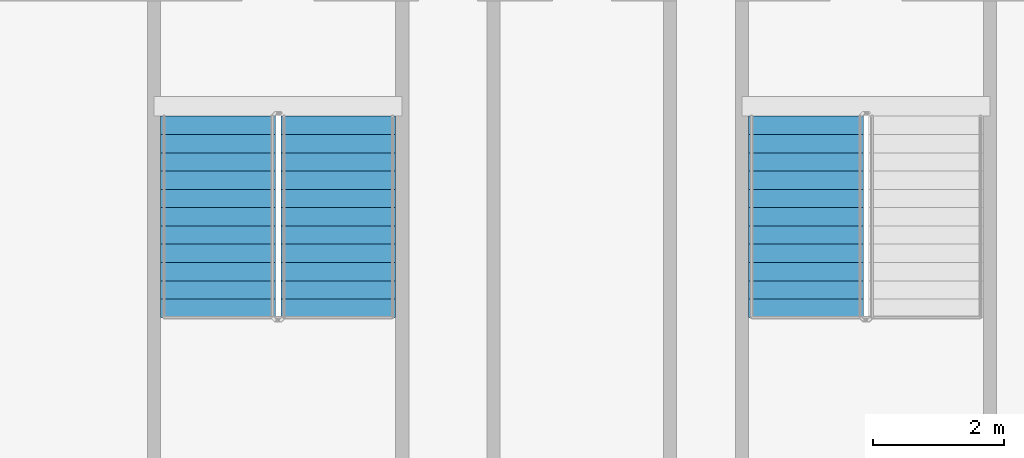
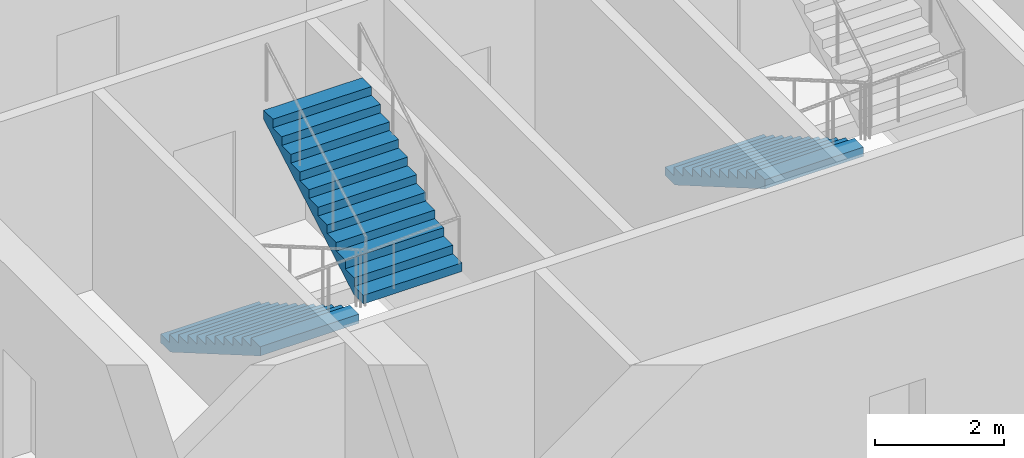
# One storey, part 14 of 21: 3 stair flights, 2 elements without a shape of their own.
"""IFC4 building model written with IfcOpenShell, lengths in metres."""

from ifc_helpers import new_model, si_unit, direction, frame, origin, place, context, subcontext, project, spatial, faceted_brep, material, type_object, element, aggregate, save


model = new_model("IFC4")

# Units and contexts
model_context = context("Model", 3, precision=1e-05, world=origin(), true_north=direction((0.0, 1.0)))
body_context = subcontext(model_context, "Body", "Model", "MODEL_VIEW")
ifc_project = project(units=[si_unit("LENGTHUNIT", "METRE"), si_unit("AREAUNIT", "SQUARE_METRE"), si_unit("VOLUMEUNIT", "CUBIC_METRE"), si_unit("PLANEANGLEUNIT", "RADIAN"), si_unit("MASSUNIT", "GRAM", prefix="KILO")], contexts=[model_context])

# Site, building, storey
site_placement = place(None, origin())
site = spatial("IfcSite", under=ifc_project, at=site_placement, CompositionType="ELEMENT")
building_placement = place(site_placement, origin())
building = spatial("IfcBuilding", under=site, at=building_placement, Name="Tarsis Ring Headquarters", CompositionType="ELEMENT")
storey_placement = place(building_placement, frame((0.0, 0.0, 278.60009765625)))
storey = spatial("IfcBuildingStorey", under=building, at=storey_placement, Name="L65", CompositionType="ELEMENT", Elevation=278.60009765625)

# Stair, stair flights
ifc_material_1 = material(Name="Core stair 1760")
stair_type = type_object("IfcStairType", Name="Core stair 1760", PredefinedType="HALF_TURN_STAIR", material=ifc_material_1)
stair_1_placement = place(storey_placement, origin())
stair_1 = element("IfcStair", 1, at=stair_1_placement, inside=storey, type_object=stair_type, Name="L65 Exit stair C", PredefinedType="HALF_TURN_STAIR")
ifc_material_2 = material(Name="Concrete C40/50", Category="concrete")
stair_flight_type = type_object("IfcStairFlightType", Name="Core stair flight 1760", PredefinedType="STRAIGHT", material=ifc_material_2)
stair_flight_1_placement = place(storey_placement, frame((-5.419921875, -3.659912109375, 0.0), z_axis=(0.0, 0.0, 1.0), x_axis=(0.0, -1.0, 0.0)))
stair_flight_1 = element("IfcStairFlight", 2, at=stair_flight_1_placement, type_object=stair_flight_type, Name="Stair ST3 flight 1", NumberOfRisers=12, NumberOfTreads=11, PredefinedType="STRAIGHT", RiserHeight=0.1625, TreadLength=0.28, context=body_context, shape_type="Brep", body=[
    faceted_brep([(0.0, 0.8798828125, 0.0), (0.0, 0.8798828125, 0.16259765625), (0.280029296875, 0.8798828125, 0.16259765625), (0.280029296875, 0.8798828125, 0.324951171875), (0.56005859375, 0.8798828125, 0.324951171875), (0.56005859375, 0.8798828125, 0.487548828125), (0.840087890625, 0.8798828125, 0.487548828125), (0.840087890625, 0.8798828125, 0.64990234375), (1.1201171875, 0.8798828125, 0.64990234375), (1.1201171875, 0.8798828125, 0.8125), (1.39990234375, 0.8798828125, 0.8125), (1.39990234375, 0.8798828125, 0.97509765625), (1.679931640625, 0.8798828125, 0.97509765625), (1.679931640625, 0.8798828125, 1.137451171875), (1.9599609375, 0.8798828125, 1.137451171875), (1.9599609375, 0.8798828125, 1.300048828125), (2.239990234375, 0.8798828125, 1.300048828125), (2.239990234375, 0.8798828125, 1.46240234375), (2.52001953125, 0.8798828125, 1.46240234375), (2.52001953125, 0.8798828125, 1.625), (2.800048828125, 0.8798828125, 1.625), (2.800048828125, 0.8798828125, 1.78759765625), (3.080078125, 0.8798828125, 1.78759765625), (3.080078125, 0.8798828125, 1.6142578125), (0.298583984375, 0.8798828125, 0.0), (0.298583984375, -0.8798828125, 0.0), (3.080078125, -0.8798828125, 1.6142578125), (3.080078125, -0.8798828125, 1.78759765625), (2.800048828125, -0.8798828125, 1.78759765625), (2.800048828125, -0.8798828125, 1.625), (2.52001953125, -0.8798828125, 1.625), (2.52001953125, -0.8798828125, 1.46240234375), (2.239990234375, -0.8798828125, 1.46240234375), (2.239990234375, -0.8798828125, 1.300048828125), (1.9599609375, -0.8798828125, 1.300048828125), (1.9599609375, -0.8798828125, 1.137451171875), (1.679931640625, -0.8798828125, 1.137451171875), (1.679931640625, -0.8798828125, 0.97509765625), (1.39990234375, -0.8798828125, 0.97509765625), (1.39990234375, -0.8798828125, 0.8125), (1.1201171875, -0.8798828125, 0.8125), (1.1201171875, -0.8798828125, 0.64990234375), (0.840087890625, -0.8798828125, 0.64990234375), (0.840087890625, -0.8798828125, 0.487548828125), (0.56005859375, -0.8798828125, 0.487548828125), (0.56005859375, -0.8798828125, 0.324951171875), (0.280029296875, -0.8798828125, 0.324951171875), (0.280029296875, -0.8798828125, 0.16259765625), (0.0, -0.8798828125, 0.16259765625), (0.0, -0.8798828125, 0.0), (0.0, -0.43994140625, 0.16259765625), (0.0, -0.43994140625, 0.0), (0.0, 0.0, 0.16259765625), (0.0, 0.0, 0.0), (0.0, 0.43994140625, 0.16259765625), (0.0, 0.43994140625, 0.0), (0.280029296875, -0.43994140625, 0.16259765625), (0.280029296875, 0.0, 0.16259765625), (0.280029296875, 0.43994140625, 0.16259765625), (0.280029296875, -0.43994140625, 0.324951171875), (0.280029296875, 0.0, 0.324951171875), (0.280029296875, 0.43994140625, 0.324951171875), (0.56005859375, -0.43994140625, 0.324951171875), (0.56005859375, 0.0, 0.324951171875), (0.56005859375, 0.43994140625, 0.324951171875), (0.56005859375, -0.43994140625, 0.487548828125), (0.56005859375, 0.0, 0.487548828125), (0.56005859375, 0.43994140625, 0.487548828125), (0.840087890625, -0.43994140625, 0.487548828125), (0.840087890625, 0.0, 0.487548828125), (0.840087890625, 0.43994140625, 0.487548828125), (0.840087890625, -0.43994140625, 0.64990234375), (0.840087890625, 0.0, 0.64990234375), (0.840087890625, 0.43994140625, 0.64990234375), (1.1201171875, -0.43994140625, 0.64990234375), (1.1201171875, 0.0, 0.64990234375), (1.1201171875, 0.43994140625, 0.64990234375), (1.1201171875, -0.43994140625, 0.8125), (1.1201171875, 0.0, 0.8125), (1.1201171875, 0.43994140625, 0.8125), (1.39990234375, -0.43994140625, 0.8125), (1.39990234375, 0.0, 0.8125), (1.39990234375, 0.43994140625, 0.8125), (1.39990234375, -0.43994140625, 0.97509765625), (1.39990234375, 0.0, 0.97509765625), (1.39990234375, 0.43994140625, 0.97509765625), (1.679931640625, -0.43994140625, 0.97509765625), (1.679931640625, 0.0, 0.97509765625), (1.679931640625, 0.43994140625, 0.97509765625), (1.679931640625, -0.43994140625, 1.137451171875), (1.679931640625, 0.0, 1.137451171875), (1.679931640625, 0.43994140625, 1.137451171875), (1.9599609375, -0.43994140625, 1.137451171875), (1.9599609375, 0.0, 1.137451171875), (1.9599609375, 0.43994140625, 1.137451171875), (1.9599609375, -0.43994140625, 1.300048828125), (1.9599609375, 0.0, 1.300048828125), (1.9599609375, 0.43994140625, 1.300048828125), (2.239990234375, -0.43994140625, 1.300048828125), (2.239990234375, 0.0, 1.300048828125), (2.239990234375, 0.43994140625, 1.300048828125), (2.239990234375, -0.43994140625, 1.46240234375), (2.239990234375, 0.0, 1.46240234375), (2.239990234375, 0.43994140625, 1.46240234375), (2.52001953125, -0.43994140625, 1.46240234375), (2.52001953125, 0.0, 1.46240234375), (2.52001953125, 0.43994140625, 1.46240234375), (2.52001953125, -0.43994140625, 1.625), (2.52001953125, 0.0, 1.625), (2.52001953125, 0.43994140625, 1.625), (2.800048828125, -0.43994140625, 1.625), (2.800048828125, 0.0, 1.625), (2.800048828125, 0.43994140625, 1.625), (2.800048828125, -0.43994140625, 1.78759765625), (2.800048828125, 0.0, 1.78759765625), (2.800048828125, 0.43994140625, 1.78759765625), (3.080078125, -0.43994140625, 1.78759765625), (3.080078125, 0.0, 1.78759765625), (3.080078125, 0.43994140625, 1.78759765625), (3.080078125, -0.43994140625, 1.6142578125), (3.080078125, 0.0, 1.6142578125), (3.080078125, 0.43994140625, 1.6142578125), (0.298583984375, -0.43994140625, 0.0), (0.298583984375, 0.0, 0.0), (0.298583984375, 0.43994140625, 0.0)], [[[0, 1, 2, 3, 4, 5, 6, 7, 8, 9, 10, 11, 12, 13, 14, 15, 16, 17, 18, 19, 20, 21, 22, 23, 24]], [[25, 26, 27, 28, 29, 30, 31, 32, 33, 34, 35, 36, 37, 38, 39, 40, 41, 42, 43, 44, 45, 46, 47, 48, 49]], [[49, 48, 50, 51]], [[51, 50, 52, 53]], [[53, 52, 54, 55]], [[55, 54, 1, 0]], [[48, 47, 56, 50]], [[50, 56, 57, 52]], [[52, 57, 58, 54]], [[54, 58, 2, 1]], [[47, 46, 59, 56]], [[56, 59, 60, 57]], [[57, 60, 61, 58]], [[58, 61, 3, 2]], [[46, 45, 62, 59]], [[59, 62, 63, 60]], [[60, 63, 64, 61]], [[61, 64, 4, 3]], [[45, 44, 65, 62]], [[62, 65, 66, 63]], [[63, 66, 67, 64]], [[64, 67, 5, 4]], [[44, 43, 68, 65]], [[65, 68, 69, 66]], [[66, 69, 70, 67]], [[67, 70, 6, 5]], [[43, 42, 71, 68]], [[68, 71, 72, 69]], [[69, 72, 73, 70]], [[70, 73, 7, 6]], [[42, 41, 74, 71]], [[71, 74, 75, 72]], [[72, 75, 76, 73]], [[73, 76, 8, 7]], [[41, 40, 77, 74]], [[74, 77, 78, 75]], [[75, 78, 79, 76]], [[76, 79, 9, 8]], [[40, 39, 80, 77]], [[77, 80, 81, 78]], [[78, 81, 82, 79]], [[79, 82, 10, 9]], [[39, 38, 83, 80]], [[80, 83, 84, 81]], [[81, 84, 85, 82]], [[82, 85, 11, 10]], [[38, 37, 86, 83]], [[83, 86, 87, 84]], [[84, 87, 88, 85]], [[85, 88, 12, 11]], [[37, 36, 89, 86]], [[86, 89, 90, 87]], [[87, 90, 91, 88]], [[88, 91, 13, 12]], [[36, 35, 92, 89]], [[89, 92, 93, 90]], [[90, 93, 94, 91]], [[91, 94, 14, 13]], [[35, 34, 95, 92]], [[92, 95, 96, 93]], [[93, 96, 97, 94]], [[94, 97, 15, 14]], [[34, 33, 98, 95]], [[95, 98, 99, 96]], [[96, 99, 100, 97]], [[97, 100, 16, 15]], [[33, 32, 101, 98]], [[98, 101, 102, 99]], [[99, 102, 103, 100]], [[100, 103, 17, 16]], [[32, 31, 104, 101]], [[101, 104, 105, 102]], [[102, 105, 106, 103]], [[103, 106, 18, 17]], [[31, 30, 107, 104]], [[104, 107, 108, 105]], [[105, 108, 109, 106]], [[106, 109, 19, 18]], [[30, 29, 110, 107]], [[107, 110, 111, 108]], [[108, 111, 112, 109]], [[109, 112, 20, 19]], [[29, 28, 113, 110]], [[110, 113, 114, 111]], [[111, 114, 115, 112]], [[112, 115, 21, 20]], [[28, 27, 116, 113]], [[113, 116, 117, 114]], [[114, 117, 118, 115]], [[115, 118, 22, 21]], [[27, 26, 119, 116]], [[116, 119, 120, 117]], [[117, 120, 121, 118]], [[118, 121, 23, 22]], [[26, 25, 122, 119]], [[119, 122, 123, 120]], [[120, 123, 124, 121]], [[121, 124, 24, 23]], [[25, 49, 51, 122]], [[122, 51, 53, 123]], [[123, 53, 55, 124]], [[124, 55, 0, 24]]]),
])
stair_flight_2_placement = place(storey_placement, frame((-3.580078125, -6.739990234375, 1.949951171875), z_axis=(0.0, 0.0, 1.0), x_axis=(0.0, 1.0, 0.0)))
stair_flight_2 = element("IfcStairFlight", 3, at=stair_flight_2_placement, type_object=stair_flight_type, Name="Stair ST3 flight 2", NumberOfRisers=12, NumberOfTreads=11, PredefinedType="STRAIGHT", RiserHeight=0.1625, TreadLength=0.28, context=body_context, shape_type="Brep", body=[
    faceted_brep([(0.0, 0.8798828125, 0.0), (0.0, 0.8798828125, 0.16259765625), (0.280029296875, 0.8798828125, 0.16259765625), (0.280029296875, 0.8798828125, 0.324951171875), (0.56005859375, 0.8798828125, 0.324951171875), (0.56005859375, 0.8798828125, 0.487548828125), (0.840087890625, 0.8798828125, 0.487548828125), (0.840087890625, 0.8798828125, 0.64990234375), (1.1201171875, 0.8798828125, 0.64990234375), (1.1201171875, 0.8798828125, 0.8125), (1.39990234375, 0.8798828125, 0.8125), (1.39990234375, 0.8798828125, 0.97509765625), (1.679931640625, 0.8798828125, 0.97509765625), (1.679931640625, 0.8798828125, 1.137451171875), (1.9599609375, 0.8798828125, 1.137451171875), (1.9599609375, 0.8798828125, 1.300048828125), (2.239990234375, 0.8798828125, 1.300048828125), (2.239990234375, 0.8798828125, 1.46240234375), (2.52001953125, 0.8798828125, 1.46240234375), (2.52001953125, 0.8798828125, 1.625), (2.800048828125, 0.8798828125, 1.625), (2.800048828125, 0.8798828125, 1.78759765625), (3.080078125, 0.8798828125, 1.78759765625), (3.080078125, 0.8798828125, 1.6142578125), (0.298583984375, 0.8798828125, 0.0), (0.298583984375, -0.8798828125, 0.0), (3.080078125, -0.8798828125, 1.6142578125), (3.080078125, -0.8798828125, 1.78759765625), (2.800048828125, -0.8798828125, 1.78759765625), (2.800048828125, -0.8798828125, 1.625), (2.52001953125, -0.8798828125, 1.625), (2.52001953125, -0.8798828125, 1.46240234375), (2.239990234375, -0.8798828125, 1.46240234375), (2.239990234375, -0.8798828125, 1.300048828125), (1.9599609375, -0.8798828125, 1.300048828125), (1.9599609375, -0.8798828125, 1.137451171875), (1.679931640625, -0.8798828125, 1.137451171875), (1.679931640625, -0.8798828125, 0.97509765625), (1.39990234375, -0.8798828125, 0.97509765625), (1.39990234375, -0.8798828125, 0.8125), (1.1201171875, -0.8798828125, 0.8125), (1.1201171875, -0.8798828125, 0.64990234375), (0.840087890625, -0.8798828125, 0.64990234375), (0.840087890625, -0.8798828125, 0.487548828125), (0.56005859375, -0.8798828125, 0.487548828125), (0.56005859375, -0.8798828125, 0.324951171875), (0.280029296875, -0.8798828125, 0.324951171875), (0.280029296875, -0.8798828125, 0.16259765625), (0.0, -0.8798828125, 0.16259765625), (0.0, -0.8798828125, 0.0), (0.0, -0.43994140625, 0.16259765625), (0.0, -0.43994140625, 0.0), (0.0, 0.0, 0.16259765625), (0.0, 0.0, 0.0), (0.0, 0.43994140625, 0.16259765625), (0.0, 0.43994140625, 0.0), (0.280029296875, -0.43994140625, 0.16259765625), (0.280029296875, 0.0, 0.16259765625), (0.280029296875, 0.43994140625, 0.16259765625), (0.280029296875, -0.43994140625, 0.324951171875), (0.280029296875, 0.0, 0.324951171875), (0.280029296875, 0.43994140625, 0.324951171875), (0.56005859375, -0.43994140625, 0.324951171875), (0.56005859375, 0.0, 0.324951171875), (0.56005859375, 0.43994140625, 0.324951171875), (0.56005859375, -0.43994140625, 0.487548828125), (0.56005859375, 0.0, 0.487548828125), (0.56005859375, 0.43994140625, 0.487548828125), (0.840087890625, -0.43994140625, 0.487548828125), (0.840087890625, 0.0, 0.487548828125), (0.840087890625, 0.43994140625, 0.487548828125), (0.840087890625, -0.43994140625, 0.64990234375), (0.840087890625, 0.0, 0.64990234375), (0.840087890625, 0.43994140625, 0.64990234375), (1.1201171875, -0.43994140625, 0.64990234375), (1.1201171875, 0.0, 0.64990234375), (1.1201171875, 0.43994140625, 0.64990234375), (1.1201171875, -0.43994140625, 0.8125), (1.1201171875, 0.0, 0.8125), (1.1201171875, 0.43994140625, 0.8125), (1.39990234375, -0.43994140625, 0.8125), (1.39990234375, 0.0, 0.8125), (1.39990234375, 0.43994140625, 0.8125), (1.39990234375, -0.43994140625, 0.97509765625), (1.39990234375, 0.0, 0.97509765625), (1.39990234375, 0.43994140625, 0.97509765625), (1.679931640625, -0.43994140625, 0.97509765625), (1.679931640625, 0.0, 0.97509765625), (1.679931640625, 0.43994140625, 0.97509765625), (1.679931640625, -0.43994140625, 1.137451171875), (1.679931640625, 0.0, 1.137451171875), (1.679931640625, 0.43994140625, 1.137451171875), (1.9599609375, -0.43994140625, 1.137451171875), (1.9599609375, 0.0, 1.137451171875), (1.9599609375, 0.43994140625, 1.137451171875), (1.9599609375, -0.43994140625, 1.300048828125), (1.9599609375, 0.0, 1.300048828125), (1.9599609375, 0.43994140625, 1.300048828125), (2.239990234375, -0.43994140625, 1.300048828125), (2.239990234375, 0.0, 1.300048828125), (2.239990234375, 0.43994140625, 1.300048828125), (2.239990234375, -0.43994140625, 1.46240234375), (2.239990234375, 0.0, 1.46240234375), (2.239990234375, 0.43994140625, 1.46240234375), (2.52001953125, -0.43994140625, 1.46240234375), (2.52001953125, 0.0, 1.46240234375), (2.52001953125, 0.43994140625, 1.46240234375), (2.52001953125, -0.43994140625, 1.625), (2.52001953125, 0.0, 1.625), (2.52001953125, 0.43994140625, 1.625), (2.800048828125, -0.43994140625, 1.625), (2.800048828125, 0.0, 1.625), (2.800048828125, 0.43994140625, 1.625), (2.800048828125, -0.43994140625, 1.78759765625), (2.800048828125, 0.0, 1.78759765625), (2.800048828125, 0.43994140625, 1.78759765625), (3.080078125, -0.43994140625, 1.78759765625), (3.080078125, 0.0, 1.78759765625), (3.080078125, 0.43994140625, 1.78759765625), (3.080078125, -0.43994140625, 1.6142578125), (3.080078125, 0.0, 1.6142578125), (3.080078125, 0.43994140625, 1.6142578125), (0.298583984375, -0.43994140625, 0.0), (0.298583984375, 0.0, 0.0), (0.298583984375, 0.43994140625, 0.0)], [[[0, 1, 2, 3, 4, 5, 6, 7, 8, 9, 10, 11, 12, 13, 14, 15, 16, 17, 18, 19, 20, 21, 22, 23, 24]], [[25, 26, 27, 28, 29, 30, 31, 32, 33, 34, 35, 36, 37, 38, 39, 40, 41, 42, 43, 44, 45, 46, 47, 48, 49]], [[49, 48, 50, 51]], [[51, 50, 52, 53]], [[53, 52, 54, 55]], [[55, 54, 1, 0]], [[48, 47, 56, 50]], [[50, 56, 57, 52]], [[52, 57, 58, 54]], [[54, 58, 2, 1]], [[47, 46, 59, 56]], [[56, 59, 60, 57]], [[57, 60, 61, 58]], [[58, 61, 3, 2]], [[46, 45, 62, 59]], [[59, 62, 63, 60]], [[60, 63, 64, 61]], [[61, 64, 4, 3]], [[45, 44, 65, 62]], [[62, 65, 66, 63]], [[63, 66, 67, 64]], [[64, 67, 5, 4]], [[44, 43, 68, 65]], [[65, 68, 69, 66]], [[66, 69, 70, 67]], [[67, 70, 6, 5]], [[43, 42, 71, 68]], [[68, 71, 72, 69]], [[69, 72, 73, 70]], [[70, 73, 7, 6]], [[42, 41, 74, 71]], [[71, 74, 75, 72]], [[72, 75, 76, 73]], [[73, 76, 8, 7]], [[41, 40, 77, 74]], [[74, 77, 78, 75]], [[75, 78, 79, 76]], [[76, 79, 9, 8]], [[40, 39, 80, 77]], [[77, 80, 81, 78]], [[78, 81, 82, 79]], [[79, 82, 10, 9]], [[39, 38, 83, 80]], [[80, 83, 84, 81]], [[81, 84, 85, 82]], [[82, 85, 11, 10]], [[38, 37, 86, 83]], [[83, 86, 87, 84]], [[84, 87, 88, 85]], [[85, 88, 12, 11]], [[37, 36, 89, 86]], [[86, 89, 90, 87]], [[87, 90, 91, 88]], [[88, 91, 13, 12]], [[36, 35, 92, 89]], [[89, 92, 93, 90]], [[90, 93, 94, 91]], [[91, 94, 14, 13]], [[35, 34, 95, 92]], [[92, 95, 96, 93]], [[93, 96, 97, 94]], [[94, 97, 15, 14]], [[34, 33, 98, 95]], [[95, 98, 99, 96]], [[96, 99, 100, 97]], [[97, 100, 16, 15]], [[33, 32, 101, 98]], [[98, 101, 102, 99]], [[99, 102, 103, 100]], [[100, 103, 17, 16]], [[32, 31, 104, 101]], [[101, 104, 105, 102]], [[102, 105, 106, 103]], [[103, 106, 18, 17]], [[31, 30, 107, 104]], [[104, 107, 108, 105]], [[105, 108, 109, 106]], [[106, 109, 19, 18]], [[30, 29, 110, 107]], [[107, 110, 111, 108]], [[108, 111, 112, 109]], [[109, 112, 20, 19]], [[29, 28, 113, 110]], [[110, 113, 114, 111]], [[111, 114, 115, 112]], [[112, 115, 21, 20]], [[28, 27, 116, 113]], [[113, 116, 117, 114]], [[114, 117, 118, 115]], [[115, 118, 22, 21]], [[27, 26, 119, 116]], [[116, 119, 120, 117]], [[117, 120, 121, 118]], [[118, 121, 23, 22]], [[26, 25, 122, 119]], [[119, 122, 123, 120]], [[120, 123, 124, 121]], [[121, 124, 24, 23]], [[25, 49, 51, 122]], [[122, 51, 53, 123]], [[123, 53, 55, 124]], [[124, 55, 0, 24]]]),
])
aggregate(stair_1, [stair_flight_1, stair_flight_2])

# Stair, stair flight
stair_2_placement = place(storey_placement, origin())
stair_2 = element("IfcStair", 4, at=stair_2_placement, inside=storey, type_object=stair_type, Name="L65 Exit stair D", PredefinedType="HALF_TURN_STAIR")
stair_flight_3_placement = place(storey_placement, frame((3.580078125, -3.659912109375, 0.0), z_axis=(0.0, 0.0, 1.0), x_axis=(0.0, -1.0, 0.0)))
stair_flight_3 = element("IfcStairFlight", 5, at=stair_flight_3_placement, type_object=stair_flight_type, Name="Stair ST4 flight 1", NumberOfRisers=12, NumberOfTreads=11, PredefinedType="STRAIGHT", RiserHeight=0.1625, TreadLength=0.28, context=body_context, shape_type="Brep", body=[
    faceted_brep([(0.0, 0.8798828125, 0.0), (0.0, 0.8798828125, 0.16259765625), (0.280029296875, 0.8798828125, 0.16259765625), (0.280029296875, 0.8798828125, 0.324951171875), (0.56005859375, 0.8798828125, 0.324951171875), (0.56005859375, 0.8798828125, 0.487548828125), (0.840087890625, 0.8798828125, 0.487548828125), (0.840087890625, 0.8798828125, 0.64990234375), (1.1201171875, 0.8798828125, 0.64990234375), (1.1201171875, 0.8798828125, 0.8125), (1.39990234375, 0.8798828125, 0.8125), (1.39990234375, 0.8798828125, 0.97509765625), (1.679931640625, 0.8798828125, 0.97509765625), (1.679931640625, 0.8798828125, 1.137451171875), (1.9599609375, 0.8798828125, 1.137451171875), (1.9599609375, 0.8798828125, 1.300048828125), (2.239990234375, 0.8798828125, 1.300048828125), (2.239990234375, 0.8798828125, 1.46240234375), (2.52001953125, 0.8798828125, 1.46240234375), (2.52001953125, 0.8798828125, 1.625), (2.800048828125, 0.8798828125, 1.625), (2.800048828125, 0.8798828125, 1.78759765625), (3.080078125, 0.8798828125, 1.78759765625), (3.080078125, 0.8798828125, 1.6142578125), (0.298583984375, 0.8798828125, 0.0), (0.298583984375, -0.8798828125, 0.0), (3.080078125, -0.8798828125, 1.6142578125), (3.080078125, -0.8798828125, 1.78759765625), (2.800048828125, -0.8798828125, 1.78759765625), (2.800048828125, -0.8798828125, 1.625), (2.52001953125, -0.8798828125, 1.625), (2.52001953125, -0.8798828125, 1.46240234375), (2.239990234375, -0.8798828125, 1.46240234375), (2.239990234375, -0.8798828125, 1.300048828125), (1.9599609375, -0.8798828125, 1.300048828125), (1.9599609375, -0.8798828125, 1.137451171875), (1.679931640625, -0.8798828125, 1.137451171875), (1.679931640625, -0.8798828125, 0.97509765625), (1.39990234375, -0.8798828125, 0.97509765625), (1.39990234375, -0.8798828125, 0.8125), (1.1201171875, -0.8798828125, 0.8125), (1.1201171875, -0.8798828125, 0.64990234375), (0.840087890625, -0.8798828125, 0.64990234375), (0.840087890625, -0.8798828125, 0.487548828125), (0.56005859375, -0.8798828125, 0.487548828125), (0.56005859375, -0.8798828125, 0.324951171875), (0.280029296875, -0.8798828125, 0.324951171875), (0.280029296875, -0.8798828125, 0.16259765625), (0.0, -0.8798828125, 0.16259765625), (0.0, -0.8798828125, 0.0), (0.0, -0.43994140625, 0.16259765625), (0.0, -0.43994140625, 0.0), (0.0, 0.0, 0.16259765625), (0.0, 0.0, 0.0), (0.0, 0.43994140625, 0.16259765625), (0.0, 0.43994140625, 0.0), (0.280029296875, -0.43994140625, 0.16259765625), (0.280029296875, 0.0, 0.16259765625), (0.280029296875, 0.43994140625, 0.16259765625), (0.280029296875, -0.43994140625, 0.324951171875), (0.280029296875, 0.0, 0.324951171875), (0.280029296875, 0.43994140625, 0.324951171875), (0.56005859375, -0.43994140625, 0.324951171875), (0.56005859375, 0.0, 0.324951171875), (0.56005859375, 0.43994140625, 0.324951171875), (0.56005859375, -0.43994140625, 0.487548828125), (0.56005859375, 0.0, 0.487548828125), (0.56005859375, 0.43994140625, 0.487548828125), (0.840087890625, -0.43994140625, 0.487548828125), (0.840087890625, 0.0, 0.487548828125), (0.840087890625, 0.43994140625, 0.487548828125), (0.840087890625, -0.43994140625, 0.64990234375), (0.840087890625, 0.0, 0.64990234375), (0.840087890625, 0.43994140625, 0.64990234375), (1.1201171875, -0.43994140625, 0.64990234375), (1.1201171875, 0.0, 0.64990234375), (1.1201171875, 0.43994140625, 0.64990234375), (1.1201171875, -0.43994140625, 0.8125), (1.1201171875, 0.0, 0.8125), (1.1201171875, 0.43994140625, 0.8125), (1.39990234375, -0.43994140625, 0.8125), (1.39990234375, 0.0, 0.8125), (1.39990234375, 0.43994140625, 0.8125), (1.39990234375, -0.43994140625, 0.97509765625), (1.39990234375, 0.0, 0.97509765625), (1.39990234375, 0.43994140625, 0.97509765625), (1.679931640625, -0.43994140625, 0.97509765625), (1.679931640625, 0.0, 0.97509765625), (1.679931640625, 0.43994140625, 0.97509765625), (1.679931640625, -0.43994140625, 1.137451171875), (1.679931640625, 0.0, 1.137451171875), (1.679931640625, 0.43994140625, 1.137451171875), (1.9599609375, -0.43994140625, 1.137451171875), (1.9599609375, 0.0, 1.137451171875), (1.9599609375, 0.43994140625, 1.137451171875), (1.9599609375, -0.43994140625, 1.300048828125), (1.9599609375, 0.0, 1.300048828125), (1.9599609375, 0.43994140625, 1.300048828125), (2.239990234375, -0.43994140625, 1.300048828125), (2.239990234375, 0.0, 1.300048828125), (2.239990234375, 0.43994140625, 1.300048828125), (2.239990234375, -0.43994140625, 1.46240234375), (2.239990234375, 0.0, 1.46240234375), (2.239990234375, 0.43994140625, 1.46240234375), (2.52001953125, -0.43994140625, 1.46240234375), (2.52001953125, 0.0, 1.46240234375), (2.52001953125, 0.43994140625, 1.46240234375), (2.52001953125, -0.43994140625, 1.625), (2.52001953125, 0.0, 1.625), (2.52001953125, 0.43994140625, 1.625), (2.800048828125, -0.43994140625, 1.625), (2.800048828125, 0.0, 1.625), (2.800048828125, 0.43994140625, 1.625), (2.800048828125, -0.43994140625, 1.78759765625), (2.800048828125, 0.0, 1.78759765625), (2.800048828125, 0.43994140625, 1.78759765625), (3.080078125, -0.43994140625, 1.78759765625), (3.080078125, 0.0, 1.78759765625), (3.080078125, 0.43994140625, 1.78759765625), (3.080078125, -0.43994140625, 1.6142578125), (3.080078125, 0.0, 1.6142578125), (3.080078125, 0.43994140625, 1.6142578125), (0.298583984375, -0.43994140625, 0.0), (0.298583984375, 0.0, 0.0), (0.298583984375, 0.43994140625, 0.0)], [[[0, 1, 2, 3, 4, 5, 6, 7, 8, 9, 10, 11, 12, 13, 14, 15, 16, 17, 18, 19, 20, 21, 22, 23, 24]], [[25, 26, 27, 28, 29, 30, 31, 32, 33, 34, 35, 36, 37, 38, 39, 40, 41, 42, 43, 44, 45, 46, 47, 48, 49]], [[49, 48, 50, 51]], [[51, 50, 52, 53]], [[53, 52, 54, 55]], [[55, 54, 1, 0]], [[48, 47, 56, 50]], [[50, 56, 57, 52]], [[52, 57, 58, 54]], [[54, 58, 2, 1]], [[47, 46, 59, 56]], [[56, 59, 60, 57]], [[57, 60, 61, 58]], [[58, 61, 3, 2]], [[46, 45, 62, 59]], [[59, 62, 63, 60]], [[60, 63, 64, 61]], [[61, 64, 4, 3]], [[45, 44, 65, 62]], [[62, 65, 66, 63]], [[63, 66, 67, 64]], [[64, 67, 5, 4]], [[44, 43, 68, 65]], [[65, 68, 69, 66]], [[66, 69, 70, 67]], [[67, 70, 6, 5]], [[43, 42, 71, 68]], [[68, 71, 72, 69]], [[69, 72, 73, 70]], [[70, 73, 7, 6]], [[42, 41, 74, 71]], [[71, 74, 75, 72]], [[72, 75, 76, 73]], [[73, 76, 8, 7]], [[41, 40, 77, 74]], [[74, 77, 78, 75]], [[75, 78, 79, 76]], [[76, 79, 9, 8]], [[40, 39, 80, 77]], [[77, 80, 81, 78]], [[78, 81, 82, 79]], [[79, 82, 10, 9]], [[39, 38, 83, 80]], [[80, 83, 84, 81]], [[81, 84, 85, 82]], [[82, 85, 11, 10]], [[38, 37, 86, 83]], [[83, 86, 87, 84]], [[84, 87, 88, 85]], [[85, 88, 12, 11]], [[37, 36, 89, 86]], [[86, 89, 90, 87]], [[87, 90, 91, 88]], [[88, 91, 13, 12]], [[36, 35, 92, 89]], [[89, 92, 93, 90]], [[90, 93, 94, 91]], [[91, 94, 14, 13]], [[35, 34, 95, 92]], [[92, 95, 96, 93]], [[93, 96, 97, 94]], [[94, 97, 15, 14]], [[34, 33, 98, 95]], [[95, 98, 99, 96]], [[96, 99, 100, 97]], [[97, 100, 16, 15]], [[33, 32, 101, 98]], [[98, 101, 102, 99]], [[99, 102, 103, 100]], [[100, 103, 17, 16]], [[32, 31, 104, 101]], [[101, 104, 105, 102]], [[102, 105, 106, 103]], [[103, 106, 18, 17]], [[31, 30, 107, 104]], [[104, 107, 108, 105]], [[105, 108, 109, 106]], [[106, 109, 19, 18]], [[30, 29, 110, 107]], [[107, 110, 111, 108]], [[108, 111, 112, 109]], [[109, 112, 20, 19]], [[29, 28, 113, 110]], [[110, 113, 114, 111]], [[111, 114, 115, 112]], [[112, 115, 21, 20]], [[28, 27, 116, 113]], [[113, 116, 117, 114]], [[114, 117, 118, 115]], [[115, 118, 22, 21]], [[27, 26, 119, 116]], [[116, 119, 120, 117]], [[117, 120, 121, 118]], [[118, 121, 23, 22]], [[26, 25, 122, 119]], [[119, 122, 123, 120]], [[120, 123, 124, 121]], [[121, 124, 24, 23]], [[25, 49, 51, 122]], [[122, 51, 53, 123]], [[123, 53, 55, 124]], [[124, 55, 0, 24]]]),
])
aggregate(stair_2, [stair_flight_3])

save(model, "model.ifc")
